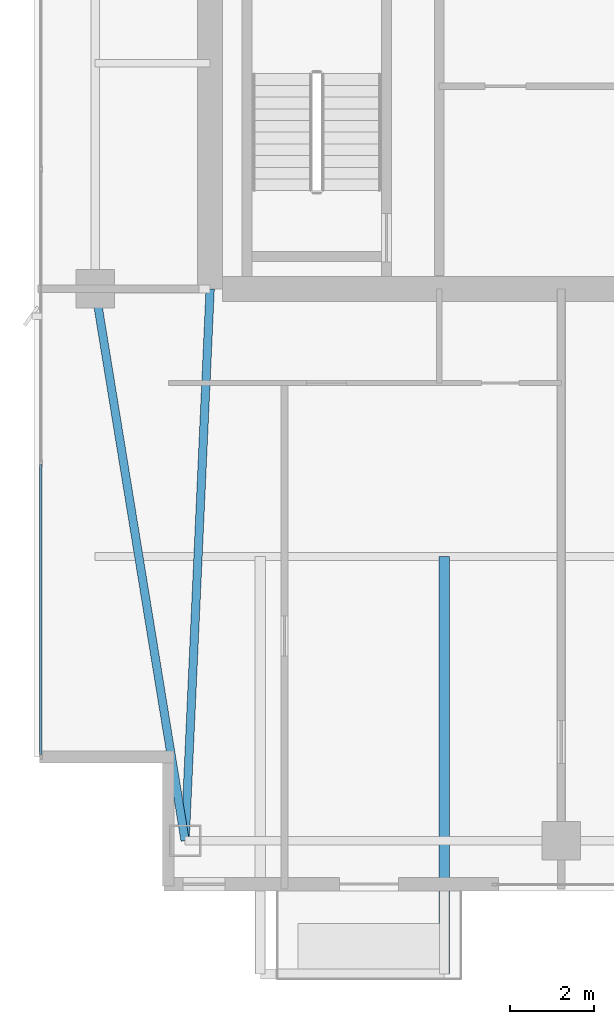
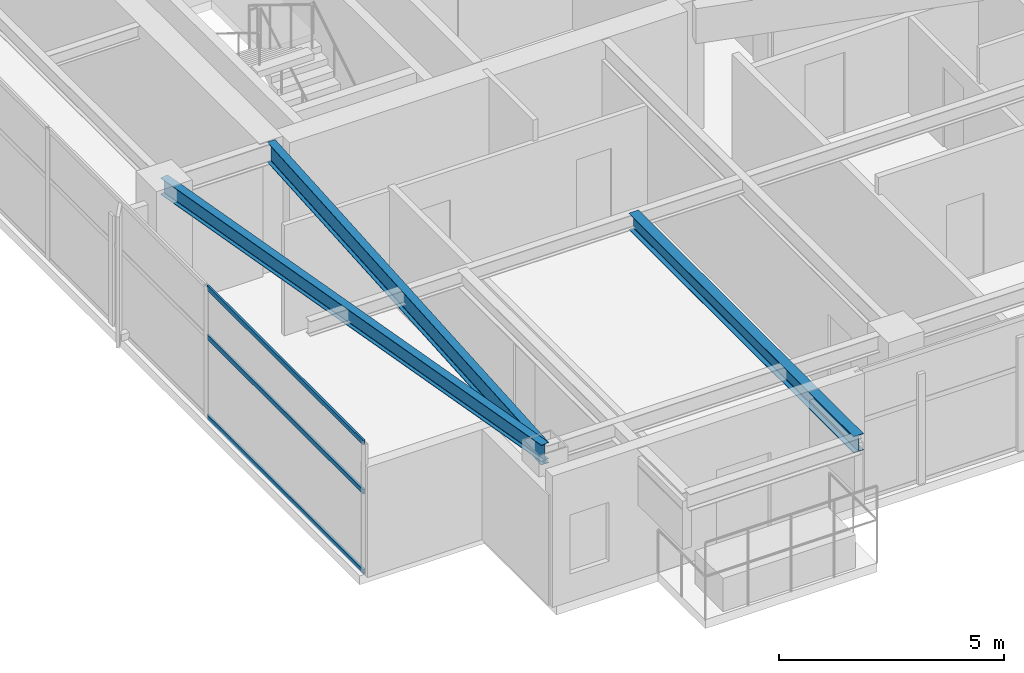
# One storey, part 4 of 28: 3 beams, 3 members, 1 element without a shape of its own.
"""IFC4 building model written with IfcOpenShell, lengths in metres."""

from ifc_helpers import new_model, si_unit, direction, frame, origin, origin_2d, place, context, subcontext, project, spatial, hollow_rectangle, i_section, extrude, material, layer, layer_set, material_profile, profile_set, type_object, element, aggregate, save


model = new_model("IFC4")

# Units and contexts
model_context = context("Model", 3, precision=1e-05, world=origin(), true_north=direction((0.0, 1.0)))
body_context = subcontext(model_context, "Body", "Model", "MODEL_VIEW")
ifc_project = project(units=[si_unit("LENGTHUNIT", "METRE"), si_unit("AREAUNIT", "SQUARE_METRE"), si_unit("VOLUMEUNIT", "CUBIC_METRE"), si_unit("PLANEANGLEUNIT", "RADIAN"), si_unit("MASSUNIT", "GRAM", prefix="KILO")], contexts=[model_context])

# Site, building, storey
site_placement = place(None, origin())
site = spatial("IfcSite", under=ifc_project, at=site_placement, CompositionType="ELEMENT")
building_placement = place(site_placement, origin())
building = spatial("IfcBuilding", under=site, at=building_placement, Name="Calvorn Quay Hotel", CompositionType="ELEMENT")
storey_placement = place(building_placement, frame((0.0, 0.0, 274.89990234375)))
storey = spatial("IfcBuildingStorey", under=building, at=storey_placement, Name="L68", CompositionType="ELEMENT", Elevation=274.89990234375)

# Beams
ifc_material_1 = material(Name="Steel Q355B", Category="steel")
ifc_material_profile_1 = material_profile(ifc_material_1, i_section(OverallWidth=0.25, OverallDepth=0.449951171875, WebThickness=0.011962890625, FlangeThickness=0.01611328125, FilletRadius=0.01611328125, at=origin_2d()), Name="HN450x250x12x16")
ifc_profile_set_1 = profile_set([ifc_material_profile_1], Name="Steel Q355B")
beam_type_1 = type_object("IfcBeamType", Name="BM-CANT-BALC", PredefinedType="BEAM", material=ifc_profile_set_1)
beam_1_placement = place(storey_placement, frame((9.800048828125, 10.39990234375, 3.315185546875), z_axis=(0.0, -1.0, 0.0), x_axis=(1.0, 0.0, 0.0)))
element("IfcBeam", 1, at=beam_1_placement, inside=storey, type_object=beam_type_1, Name="Cantilever Balcony Beam BCB-L69-2B", PredefinedType="BEAM", context=body_context, shape_type="SweptSolid", body=[
    extrude(i_section(OverallWidth=0.25, OverallDepth=0.449951171875, WebThickness=0.011962890625, FlangeThickness=0.01611328125, FilletRadius=0.01611328125, at=origin_2d()), origin(), (0.0, 0.0, 1.0), 9.989990234375),
])
ifc_material_2 = material(Name="Steel Q355B", Category="steel")
ifc_material_profile_2 = material_profile(ifc_material_2, i_section(OverallWidth=0.199951171875, OverallDepth=0.550048828125, WebThickness=0.010009765625, FlangeThickness=0.01611328125, FilletRadius=0.01806640625, at=origin_2d()), Name="HN550x200x10x16")
ifc_profile_set_2 = profile_set([ifc_material_profile_2], Name="Steel Q355B")
beam_type_2 = type_object("IfcBeamType", Name="BM-GIRD-UPP", PredefinedType="BEAM", material=ifc_profile_set_2)
beam_2_placement = place(storey_placement, frame((3.60009765625, 3.60009765625, 3.26513671875), z_axis=(0.045396765494, 0.998969035397, 0.0), x_axis=(-0.998969035397, 0.045396765494, 0.0)))
element("IfcBeam", 2, at=beam_2_placement, inside=storey, type_object=beam_type_2, Name="Beam BG-L68-W0", PredefinedType="BEAM", context=body_context, shape_type="SweptSolid", body=[
    extrude(i_section(OverallWidth=0.199951171875, OverallDepth=0.550048828125, WebThickness=0.010009765625, FlangeThickness=0.01611328125, FilletRadius=0.01806640625, at=origin_2d()), origin(), (0.0, 0.0, 1.0), 13.213623046875),
])
ifc_material_3 = material(Name="Steel Q355B", Category="steel")
ifc_material_profile_3 = material_profile(ifc_material_3, i_section(OverallWidth=0.199951171875, OverallDepth=0.449951171875, WebThickness=0.009033203125, FlangeThickness=0.013916015625, FilletRadius=0.01611328125, at=origin_2d()), Name="HN450x200x9x14")
ifc_profile_set_3 = profile_set([ifc_material_profile_3], Name="Steel Q355B")
beam_type_3 = type_object("IfcBeamType", Name="BM-SPANDREL-Z3", PredefinedType="SPANDREL", material=ifc_profile_set_3)
beam_3_placement = place(storey_placement, frame((3.60009765625, 3.60009765625, 3.315185546875), z_axis=(-0.16077155054, 0.986991645627, 0.0), x_axis=(-0.986991645627, -0.16077155054, 0.0)))
element("IfcBeam", 3, at=beam_3_placement, inside=storey, type_object=beam_type_3, Name="Beam BSP-L68-W1", PredefinedType="SPANDREL", context=body_context, shape_type="SweptSolid", body=[
    extrude(i_section(OverallWidth=0.199951171875, OverallDepth=0.449951171875, WebThickness=0.009033203125, FlangeThickness=0.013916015625, FilletRadius=0.01611328125, at=origin_2d()), origin(), (0.0, 0.0, 1.0), 13.3740234375),
])

# Curtain wall, members
ifc_material_4 = material(Name="Champagne Bronze Anodised Aluminium and Low-E Glass", Category="aluminium")
ifc_layer = layer(ifc_material_4, 0.219970703125)
ifc_layer_set = layer_set([ifc_layer], Name="CW-SYS-Z4")
curtain_wall_type = type_object("IfcCurtainWallType", Name="CW-SYS-Z4", PredefinedType="NOTDEFINED", material=ifc_layer_set)
curtain_wall_placement = place(storey_placement, origin())
curtain_wall = element("IfcCurtainWall", 4, at=curtain_wall_placement, inside=storey, type_object=curtain_wall_type, Name="Tower West Curtain Wall (L68)", PredefinedType="NOTDEFINED")
ifc_material_5 = material(Name="Champagne Bronze Anodised Aluminium 6063-T6", Category="aluminium")
ifc_material_profile_4 = material_profile(ifc_material_5, hollow_rectangle(XDim=0.054931640625, YDim=0.1298828125, WallThickness=0.003173828125, at=origin_2d()), Name="ALU-T130x55x3.2")
ifc_profile_set_4 = profile_set([ifc_material_profile_4], Name="Champagne Bronze Anodised Aluminium 6063-T6")
member_type = type_object("IfcMemberType", Name="CW-SYS-Z4-TRN", PredefinedType="USERDEFINED", material=ifc_profile_set_4)
member_1_placement = place(storey_placement, frame((0.14990234375, 5.659912109375, 0.030029296875), z_axis=(0.0, 1.0, 0.0), x_axis=(-1.0, 0.0, 0.0)))
member_1 = element("IfcMember", 5, at=member_1_placement, type_object=member_type, Name="CW-L68-W transom 1.1", ObjectType="TRANSOM", PredefinedType="USERDEFINED", context=body_context, shape_type="SweptSolid", body=[
    extrude(hollow_rectangle(XDim=0.054931640625, YDim=0.1298828125, WallThickness=0.003173828125, at=origin_2d()), origin(), (0.0, 0.0, 1.0), 6.943359375),
])
member_2_placement = place(storey_placement, frame((0.14990234375, 5.659912109375, 2.2001953125), z_axis=(0.0, 1.0, 0.0), x_axis=(-1.0, 0.0, 0.0)))
member_2 = element("IfcMember", 6, at=member_2_placement, type_object=member_type, Name="CW-L68-W transom 1.2", ObjectType="TRANSOM", PredefinedType="USERDEFINED", context=body_context, shape_type="SweptSolid", body=[
    extrude(hollow_rectangle(XDim=0.054931640625, YDim=0.1298828125, WallThickness=0.003173828125, at=origin_2d()), origin(), (0.0, 0.0, 1.0), 6.943359375),
])
member_3_placement = place(storey_placement, frame((0.14990234375, 5.659912109375, 3.530029296875), z_axis=(0.0, 1.0, 0.0), x_axis=(-1.0, 0.0, 0.0)))
member_3 = element("IfcMember", 7, at=member_3_placement, type_object=member_type, Name="CW-L68-W transom 1.3", ObjectType="TRANSOM", PredefinedType="USERDEFINED", context=body_context, shape_type="SweptSolid", body=[
    extrude(hollow_rectangle(XDim=0.054931640625, YDim=0.1298828125, WallThickness=0.003173828125, at=origin_2d()), origin(), (0.0, 0.0, 1.0), 6.943359375),
])
aggregate(curtain_wall, [member_1, member_2, member_3])

save(model, "model.ifc")
